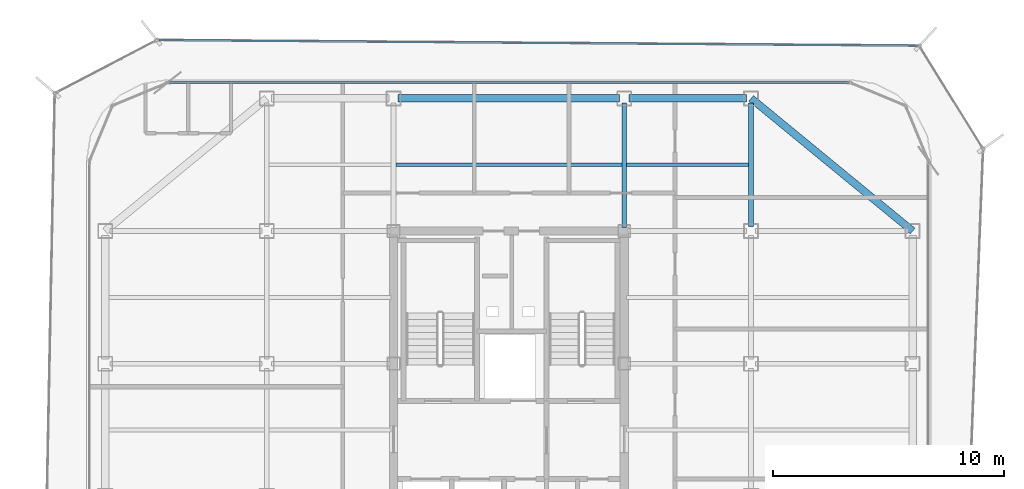
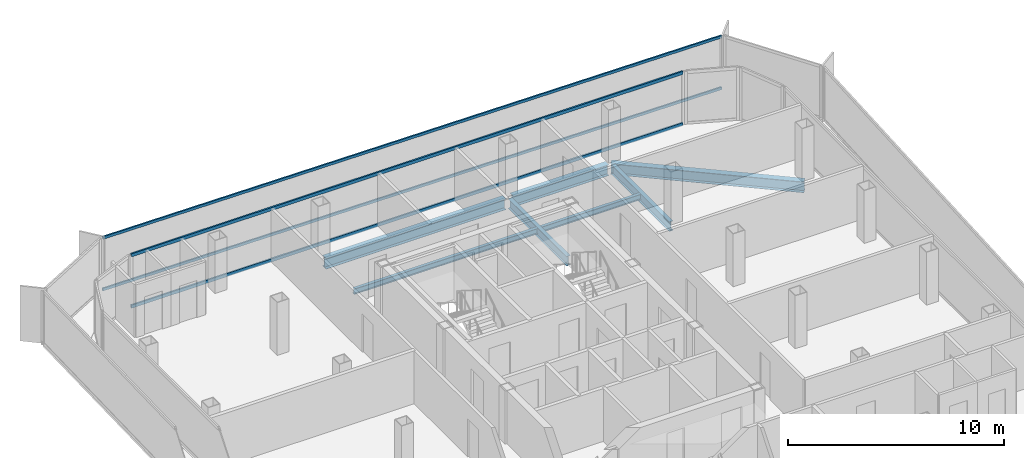
# One storey, part 7 of 15: 7 beams, 4 members, 2 elements without a shape of their own.
"""IFC4 building model written with IfcOpenShell, lengths in metres."""

import ifcopenshell
import ifcopenshell.guid

model = None  # the IFC model being written
_history = None  # IfcOwnerHistory: only IFC2X3 demands one
_inside = {}  # id of a spatial element -> (the spatial element, [elements in it])
_under = {}  # id of a project, library or spatial element -> (it, [spatial elements below it])
_declared = {}  # id of a project -> (the project, [libraries it declares])
_typed = {}  # id of a type object -> (the type object, [elements of that type])
_made_of = {}  # id of a material, layer set ... -> (it, [elements and type objects made of it])


def new_model(schema):
    """Start an empty IFC model of exactly this schema.

    Asked for "IFC4X3", IfcOpenShell would pick the latest addendum, in which some entities
    have other attributes; the version numbers below select the first issue.
    IFC2X3 requires an IfcOwnerHistory on every rooted entity: one is made here for all.
    """
    global model, _history
    if schema == "IFC4X3":
        model = ifcopenshell.file(schema_version=(4, 3, 0, 0))
    else:
        model = ifcopenshell.file(schema=schema)
    _inside.clear()
    _under.clear()
    _declared.clear()
    _typed.clear()
    _made_of.clear()
    _history = None
    if model.schema == "IFC2X3":
        org = make("IfcOrganization", Name="unknown")
        user = make(
            "IfcPersonAndOrganization",
            ThePerson=make("IfcPerson", FamilyName="unknown"),
            TheOrganization=org,
        )
        app = make(
            "IfcApplication",
            ApplicationDeveloper=org,
            Version="unknown",
            ApplicationFullName="unknown",
            ApplicationIdentifier="unknown",
        )
        _history = make(
            "IfcOwnerHistory",
            OwningUser=user,
            OwningApplication=app,
            ChangeAction="ADDED",
            CreationDate=0,
        )
    return model


def make(cls, **values):
    """One entity of the class cls with the attributes given. An attribute that is None is left unset."""
    return model.create_entity(
        cls, **{name: value for name, value in values.items() if value is not None}
    )


def rooted(cls, **values):
    """An entity with a GlobalId (a new one), such as an element, a storey or a relation."""
    return make(cls, GlobalId=ifcopenshell.guid.new(), OwnerHistory=_history, **values)


def si_unit(unit_type, name, prefix=None):
    """IfcSIUnit, for example si_unit("LENGTHUNIT", "METRE", prefix="MILLI")."""
    return make("IfcSIUnit", UnitType=unit_type, Prefix=prefix, Name=name)


def assignment(units):
    """IfcUnitAssignment: the units of a project."""
    return None if units is None else make("IfcUnitAssignment", Units=units)


def point(xyz):
    """IfcCartesianPoint."""
    return None if xyz is None else make("IfcCartesianPoint", Coordinates=xyz)


def direction(xyz):
    """IfcDirection."""
    return None if xyz is None else make("IfcDirection", DirectionRatios=xyz)


def frame(location, z_axis=None, x_axis=None):
    """IfcAxis2Placement3D, a coordinate frame: its origin and axes. An axis left out is left unset."""
    return make(
        "IfcAxis2Placement3D",
        Location=point(location),
        Axis=direction(z_axis),
        RefDirection=direction(x_axis),
    )


def frame_2d(location, x_axis=None):
    """IfcAxis2Placement2D, a coordinate frame in the plane: its origin and x axis."""
    return make(
        "IfcAxis2Placement2D", Location=point(location), RefDirection=direction(x_axis)
    )


def origin():
    """The frame at (0, 0, 0) with its axes left unset."""
    return frame((0.0, 0.0, 0.0))


def origin_2d():
    """The frame at (0, 0) in the plane with its x axis left unset."""
    return frame_2d((0.0, 0.0))


def place(relative_to, where):
    """IfcLocalPlacement: puts the frame where relative to a parent placement (None: the world)."""
    return make(
        "IfcLocalPlacement", PlacementRelTo=relative_to, RelativePlacement=where
    )


def context(
    kind, dimensions, precision=None, world=None, true_north=None, identifier=None
):
    """IfcGeometricRepresentationContext, for example the 3D "Model" context."""
    return make(
        "IfcGeometricRepresentationContext",
        ContextIdentifier=identifier,
        ContextType=kind,
        CoordinateSpaceDimension=dimensions,
        Precision=precision,
        WorldCoordinateSystem=world,
        TrueNorth=true_north,
    )


def subcontext(parent, identifier, kind, view, scale=None):
    """IfcGeometricRepresentationSubContext, for example "Body" below "Model"."""
    return make(
        "IfcGeometricRepresentationSubContext",
        ContextIdentifier=identifier,
        ContextType=kind,
        ParentContext=parent,
        TargetScale=scale,
        TargetView=view,
    )


def project(units=None, contexts=None):
    """IfcProject with its units and contexts."""
    return rooted(
        "IfcProject",
        Name="project",
        RepresentationContexts=contexts,
        UnitsInContext=assignment(units),
    )


def spatial(cls, under=None, at=None, **own):
    """A site, building, storey or space (cls), placed at a placement, below another one or the project."""
    s = rooted(cls, ObjectPlacement=at, **own)
    if under is not None:
        _under.setdefault(under.id(), (under, []))[1].append(s)
    return s


def profile(cls, at=None, kind="AREA", **sizes):
    """A parametric profile (cls). Its sizes go by their IFC names, for example OverallWidth=200.0."""
    return make(cls, ProfileType=kind, Position=at, **sizes)


def hollow_rectangle(**sizes):
    """IfcRectangleHollowProfileDef."""
    return profile("IfcRectangleHollowProfileDef", **sizes)


def i_section(**sizes):
    """IfcIShapeProfileDef."""
    return profile("IfcIShapeProfileDef", **sizes)


def extrude(swept, where, along, depth):
    """IfcExtrudedAreaSolid: the profile swept, set in the frame where, extruded along a direction by depth."""
    return make(
        "IfcExtrudedAreaSolid",
        SweptArea=swept,
        Position=where,
        ExtrudedDirection=direction(along),
        Depth=depth,
    )


def shape(context_of_items, identifier, shape_type, items):
    """IfcShapeRepresentation: the items that make up one representation, for example the "Body"."""
    return make(
        "IfcShapeRepresentation",
        ContextOfItems=context_of_items,
        RepresentationIdentifier=identifier,
        RepresentationType=shape_type,
        Items=items,
    )


def source(mapping_origin, context_of_items, identifier, shape_type, items):
    """IfcRepresentationMap: a shape defined once, which mapped items show again and again."""
    return make(
        "IfcRepresentationMap",
        MappingOrigin=mapping_origin,
        MappedRepresentation=shape(context_of_items, identifier, shape_type, items),
    )


def transform(
    local_origin,
    x_axis=None,
    y_axis=None,
    z_axis=None,
    scale=None,
    scale2=None,
    scale3=None,
    uniform=True,
):
    """IfcCartesianTransformationOperator3D, or its non-uniform kind. x_axis, y_axis, z_axis: its Axis1, 2, 3."""
    if uniform:
        return make(
            "IfcCartesianTransformationOperator3D",
            Axis1=direction(x_axis),
            Axis2=direction(y_axis),
            LocalOrigin=point(local_origin),
            Scale=scale,
            Axis3=direction(z_axis),
        )
    return make(
        "IfcCartesianTransformationOperator3DnonUniform",
        Axis1=direction(x_axis),
        Axis2=direction(y_axis),
        LocalOrigin=point(local_origin),
        Scale=scale,
        Axis3=direction(z_axis),
        Scale2=scale2,
        Scale3=scale3,
    )


def mapped(mapping_source, mapping_target):
    """IfcMappedItem: shows the shape of a source again, moved by a transform."""
    return make(
        "IfcMappedItem", MappingSource=mapping_source, MappingTarget=mapping_target
    )


def material(Name=None, Category=None):
    """IfcMaterial."""
    return make("IfcMaterial", Name=Name, Category=Category)


def layer(
    of_material, thickness, ventilated=None, Name=None, Category=None, Priority=None
):
    """IfcMaterialLayer: one layer of a wall or slab, of a material (None: an air gap)."""
    return make(
        "IfcMaterialLayer",
        Material=of_material,
        LayerThickness=thickness,
        IsVentilated=ventilated,
        Name=Name,
        Category=Category,
        Priority=Priority,
    )


def layer_set(layers, Name=None):
    """IfcMaterialLayerSet."""
    return make("IfcMaterialLayerSet", MaterialLayers=layers, LayerSetName=Name)


def material_profile(
    of_material, cross_section, Name=None, Category=None, Priority=None
):
    """IfcMaterialProfile: a cross section and its material."""
    return make(
        "IfcMaterialProfile",
        Name=Name,
        Material=of_material,
        Profile=cross_section,
        Priority=Priority,
        Category=Category,
    )


def profile_set(profiles, Name=None, composite=None):
    """IfcMaterialProfileSet."""
    return make(
        "IfcMaterialProfileSet",
        Name=Name,
        MaterialProfiles=profiles,
        CompositeProfile=composite,
    )


def made_of(thing, what):
    """Note that an element or type object is made of a material, layer set ...; save() writes the relation."""
    if what is not None:
        _made_of.setdefault(what.id(), (what, []))[1].append(thing)
    return thing


def type_object(cls, material=None, **own):
    """A type object (cls), such as IfcWallType, which elements share."""
    return made_of(rooted(cls, **own), material)


def element(
    cls,
    number,
    at=None,
    inside=None,
    cuts=None,
    type_object=None,
    material=None,
    context=None,
    identifier="Body",
    shape_type=None,
    held_by="IfcProductDefinitionShape",
    body=None,
    shapes=None,
    **own,
):
    """One element of the class cls, such as IfcWall. Its Tag is "e" and its number.

    at: its placement. inside: the storey or other place that contains it. cuts: it is an
    opening in that element (IfcRelVoidsElement). A single representation is given by context,
    identifier, shape_type and body (its items); several are given by shapes. held_by: the class
    of the entity that holds the representations. save() writes the other relations.
    """
    e = rooted(cls, Tag="e%d" % number, ObjectPlacement=at, **own)
    if body is not None:
        shapes = [shape(context, identifier, shape_type, body)]
    if shapes is not None:
        e.Representation = make(held_by, Representations=shapes)
    if inside is not None:
        _inside.setdefault(inside.id(), (inside, []))[1].append(e)
    if cuts is not None:
        rooted(
            "IfcRelVoidsElement", RelatingBuildingElement=cuts, RelatedOpeningElement=e
        )
    if type_object is not None:
        _typed.setdefault(type_object.id(), (type_object, []))[1].append(e)
    return made_of(e, material)


def aggregate(whole, parts):
    """IfcRelAggregates: a whole, such as a stair, and the parts it consists of."""
    return rooted("IfcRelAggregates", RelatingObject=whole, RelatedObjects=parts)


def save(model, path):
    """Write the relations noted so far, then the file.

    IfcRelAggregates (storeys below a building ...), IfcRelContainedInSpatialStructure (elements
    in a storey), IfcRelDefinesByType, IfcRelAssociatesMaterial and IfcRelDeclares: one each for
    every whole, place, type object, material and project.
    """
    for whole, parts in _under.values():
        aggregate(whole, parts)
    for where, things in _inside.values():
        rooted(
            "IfcRelContainedInSpatialStructure",
            RelatedElements=things,
            RelatingStructure=where,
        )
    for kind, things in _typed.values():
        rooted("IfcRelDefinesByType", RelatedObjects=things, RelatingType=kind)
    for what, things in _made_of.values():
        rooted("IfcRelAssociatesMaterial", RelatedObjects=things, RelatingMaterial=what)
    for by, libraries in _declared.values():
        rooted("IfcRelDeclares", RelatingContext=by, RelatedDefinitions=libraries)
    model.write(path)


model = new_model("IFC4")

# Units and contexts
model_context = context("Model", 3, precision=1e-05, world=origin(), true_north=direction((0.0, 1.0)))
body_context = subcontext(model_context, "Body", "Model", "MODEL_VIEW")
ifc_project = project(units=[si_unit("LENGTHUNIT", "METRE"), si_unit("AREAUNIT", "SQUARE_METRE"), si_unit("VOLUMEUNIT", "CUBIC_METRE"), si_unit("PLANEANGLEUNIT", "RADIAN"), si_unit("MASSUNIT", "GRAM", prefix="KILO")], contexts=[model_context])

# Site, building, storey
site_placement = place(None, origin())
site = spatial("IfcSite", under=ifc_project, at=site_placement, CompositionType="ELEMENT")
building_placement = place(site_placement, origin())
building = spatial("IfcBuilding", under=site, at=building_placement, Name="Kolveth Station Tower", CompositionType="ELEMENT")
storey_placement = place(building_placement, frame((0.0, 0.0, 223.300048828125)))
storey = spatial("IfcBuildingStorey", under=building, at=storey_placement, Name="L63", CompositionType="ELEMENT", Elevation=223.300048828125)

# Beams
ifc_material_1 = material(Name="Steel S355", Category="steel")
ifc_material_profile_1 = material_profile(ifc_material_1, i_section(OverallWidth=0.323974609375, OverallDepth=0.611083984375, WebThickness=0.0126953125, FlangeThickness=0.01904296875, at=origin_2d()), Name="W610x155")
ifc_profile_set_1 = profile_set([ifc_material_profile_1], Name="Steel S355")
beam_type_1 = type_object("IfcBeamType", Name="Beam_SP2", PredefinedType="SPANDREL", material=ifc_profile_set_1)
shared_shape_1 = source(origin(), body_context, "Body", "SweptSolid", [
    extrude(i_section(OverallWidth=0.323974609375, OverallDepth=0.611083984375, WebThickness=0.0126953125, FlangeThickness=0.01904296875, at=origin_2d()), origin(), (0.0, 0.0, 1.0), 9.058837890625),
])
beam_1_placement = place(storey_placement, frame((41.0, 28.75, -0.525634765625), z_axis=(-0.772726254525, 0.63473942336, 0.0), x_axis=(-0.63473942336, -0.772726254525, 0.0)))
element("IfcBeam", 1, at=beam_1_placement, inside=storey, type_object=beam_type_1, Name="L63 Corner Edge Girder BM-L63-CNR-NE", PredefinedType="SPANDREL", context=body_context, shape_type="MappedRepresentation", body=[
    mapped(shared_shape_1, transform((0.0, 0.0, 0.0), x_axis=(1.0, 0.0, 0.0), y_axis=(0.0, 1.0, 0.0), z_axis=(0.0, 0.0, 1.0), scale=1.0)),
])
shared_shape_2 = source(origin(), body_context, "Body", "SweptSolid", [
    extrude(i_section(OverallWidth=0.323974609375, OverallDepth=0.611083984375, WebThickness=0.0126953125, FlangeThickness=0.01904296875, at=origin_2d()), origin(), (0.0, 0.0, 1.0), 5.10009765625),
])
beam_2_placement = place(storey_placement, frame((28.699951171875, 34.5, -0.525634765625), z_axis=(1.0, 0.0, 0.0), x_axis=(0.0, 1.0, 0.0)))
element("IfcBeam", 2, at=beam_2_placement, inside=storey, type_object=beam_type_1, Name="L63 Perimeter Spandrel BM-L63-PN-3", PredefinedType="SPANDREL", context=body_context, shape_type="MappedRepresentation", body=[
    mapped(shared_shape_2, transform((0.0, 0.0, 0.0), x_axis=(1.0, 0.0, 0.0), y_axis=(0.0, 1.0, 0.0), z_axis=(0.0, 0.0, 1.0), scale=1.0)),
])
shared_shape_3 = source(origin(), body_context, "Body", "SweptSolid", [
    extrude(i_section(OverallWidth=0.323974609375, OverallDepth=0.611083984375, WebThickness=0.0126953125, FlangeThickness=0.01904296875, at=origin_2d()), origin(), (0.0, 0.0, 1.0), 9.60009765625),
])
beam_3_placement = place(storey_placement, frame((18.699951171875, 34.5, -0.525634765625), z_axis=(1.0, 0.0, 0.0), x_axis=(0.0, 1.0, 0.0)))
element("IfcBeam", 3, at=beam_3_placement, inside=storey, type_object=beam_type_1, Name="L63 Perimeter Spandrel BM-L63-PN-2", PredefinedType="SPANDREL", context=body_context, shape_type="MappedRepresentation", body=[
    mapped(shared_shape_3, transform((0.0, 0.0, 0.0), x_axis=(1.0, 0.0, 0.0), y_axis=(0.0, 1.0, 0.0), z_axis=(0.0, 0.0, 1.0), scale=1.0)),
])
ifc_material_profile_2 = material_profile(ifc_material_1, i_section(OverallWidth=0.2099609375, OverallDepth=0.537109375, WebThickness=0.010986328125, FlangeThickness=0.017333984375, at=origin_2d()), Name="W530x101")
ifc_profile_set_2 = profile_set([ifc_material_profile_2], Name="Steel S355")
beam_type_2 = type_object("IfcBeamType", Name="Beam_B6", PredefinedType="BEAM", material=ifc_profile_set_2)
shared_shape_4 = source(origin(), body_context, "Body", "SweptSolid", [
    extrude(i_section(OverallWidth=0.2099609375, OverallDepth=0.537109375, WebThickness=0.010986328125, FlangeThickness=0.017333984375, at=origin_2d()), origin(), (0.0, 0.0, 1.0), 5.35009765625),
])
beam_4_placement = place(storey_placement, frame((34.0, 28.949951171875, -0.488525390625), z_axis=(0.0, 1.0, 0.0), x_axis=(-1.0, 0.0, 0.0)))
element("IfcBeam", 4, at=beam_4_placement, inside=storey, type_object=beam_type_2, Name="L63 Primary Girder BM-L63-GX340-6", PredefinedType="BEAM", context=body_context, shape_type="MappedRepresentation", body=[
    mapped(shared_shape_4, transform((0.0, 0.0, 0.0), x_axis=(1.0, 0.0, 0.0), y_axis=(0.0, 1.0, 0.0), z_axis=(0.0, 0.0, 1.0), scale=1.0)),
])
shared_shape_5 = source(origin(), body_context, "Body", "SweptSolid", [
    extrude(i_section(OverallWidth=0.2099609375, OverallDepth=0.537109375, WebThickness=0.010986328125, FlangeThickness=0.017333984375, at=origin_2d()), origin(), (0.0, 0.0, 1.0), 5.39013671875),
])
beam_5_placement = place(storey_placement, frame((28.5, 28.909912109375, -0.488525390625), z_axis=(0.0, 1.0, 0.0), x_axis=(-1.0, 0.0, 0.0)))
element("IfcBeam", 5, at=beam_5_placement, inside=storey, type_object=beam_type_2, Name="L63 Primary Girder BM-L63-GX285-6", PredefinedType="BEAM", context=body_context, shape_type="MappedRepresentation", body=[
    mapped(shared_shape_5, transform((0.0, 0.0, 0.0), x_axis=(1.0, 0.0, 0.0), y_axis=(0.0, 1.0, 0.0), z_axis=(0.0, 0.0, 1.0), scale=1.0)),
])
ifc_material_profile_3 = material_profile(ifc_material_1, i_section(OverallWidth=0.1650390625, OverallDepth=0.31005859375, WebThickness=0.005859375, FlangeThickness=0.009765625, at=origin_2d()), Name="W310x39")
ifc_profile_set_3 = profile_set([ifc_material_profile_3], Name="Steel S355")
beam_type_3 = type_object("IfcBeamType", Name="Beam_J3", PredefinedType="JOIST", material=ifc_profile_set_3)
shared_shape_6 = source(origin(), body_context, "Body", "SweptSolid", [
    extrude(i_section(OverallWidth=0.1650390625, OverallDepth=0.31005859375, WebThickness=0.005859375, FlangeThickness=0.009765625, at=origin_2d()), origin(), (0.0, 0.0, 1.0), 5.2939453125),
])
beam_6_placement = place(storey_placement, frame((28.60302734375, 31.625, -0.375), z_axis=(1.0, 0.0, 0.0), x_axis=(0.0, 1.0, 0.0)))
element("IfcBeam", 6, at=beam_6_placement, inside=storey, type_object=beam_type_3, Name="L63 Secondary Joist JST-L63-4-6", PredefinedType="JOIST", context=body_context, shape_type="MappedRepresentation", body=[
    mapped(shared_shape_6, transform((0.0, 0.0, 0.0), x_axis=(1.0, 0.0, 0.0), y_axis=(0.0, 1.0, 0.0), z_axis=(0.0, 0.0, 1.0), scale=1.0)),
])
shared_shape_7 = source(origin(), body_context, "Body", "SweptSolid", [
    extrude(i_section(OverallWidth=0.1650390625, OverallDepth=0.31005859375, WebThickness=0.005859375, FlangeThickness=0.009765625, at=origin_2d()), origin(), (0.0, 0.0, 1.0), 9.7939453125),
])
beam_7_placement = place(storey_placement, frame((18.60302734375, 31.625, -0.375), z_axis=(1.0, 0.0, 0.0), x_axis=(0.0, 1.0, 0.0)))
element("IfcBeam", 7, at=beam_7_placement, inside=storey, type_object=beam_type_3, Name="L63 Secondary Joist JST-L63-3-6", PredefinedType="JOIST", context=body_context, shape_type="MappedRepresentation", body=[
    mapped(shared_shape_7, transform((0.0, 0.0, 0.0), x_axis=(1.0, 0.0, 0.0), y_axis=(0.0, 1.0, 0.0), z_axis=(0.0, 0.0, 1.0), scale=1.0)),
])

# Curtain wall, members
ifc_material_2 = material(Name="Aluminium 6063-T6 and triple low-E dark glass", Category="aluminium")
ifc_layer_1 = layer(ifc_material_2, 0.199951171875)
ifc_layer_set_1 = layer_set([ifc_layer_1], Name="Aluminium 6063-T6 and triple low-E dark glass")
curtain_wall_type_1 = type_object("IfcCurtainWallType", Name="CurtainWall_CW-Z3", PredefinedType="NOTDEFINED", material=ifc_layer_set_1)
curtain_wall_1_placement = place(storey_placement, origin())
curtain_wall_1 = element("IfcCurtainWall", 8, at=curtain_wall_1_placement, inside=storey, type_object=curtain_wall_type_1, Name="L63 Inner Thermal Curtain Wall 6", PredefinedType="NOTDEFINED")
ifc_material_3 = material(Name="Black anodized aluminium 6063-T6", Category="aluminium")
ifc_material_profile_4 = material_profile(ifc_material_3, hollow_rectangle(XDim=0.0849609375, YDim=0.179931640625, WallThickness=0.0048828125, at=origin_2d()), Name="ALU-85x180x5")
ifc_profile_set_4 = profile_set([ifc_material_profile_4], Name="Black anodized aluminium 6063-T6")
member_type_1 = type_object("IfcMemberType", Name="Transom_TR3", PredefinedType="USERDEFINED", material=ifc_profile_set_4)
shared_shape_8 = source(origin(), body_context, "Body", "SweptSolid", [
    extrude(hollow_rectangle(XDim=0.0849609375, YDim=0.179931640625, WallThickness=0.0048828125, at=origin_2d()), origin(), (0.0, 0.0, 1.0), 29.43017578125),
])
member_1_placement = place(storey_placement, frame((38.215087890625, 35.179931640625, 0.04248046875), z_axis=(-1.0, 0.0, 0.0), x_axis=(0.0, -1.0, 0.0)))
member_1 = element("IfcMember", 9, at=member_1_placement, type_object=member_type_1, Name="CW-Z3 transom 1.1", ObjectType="TRANSOM", PredefinedType="USERDEFINED", context=body_context, shape_type="MappedRepresentation", body=[
    mapped(shared_shape_8, transform((0.0, 0.0, 0.0), x_axis=(1.0, 0.0, 0.0), y_axis=(0.0, 1.0, 0.0), z_axis=(0.0, 0.0, 1.0), scale=1.0)),
])
member_2_placement = place(storey_placement, frame((38.215087890625, 35.179931640625, 2.9375), z_axis=(-1.0, 0.0, 0.0), x_axis=(0.0, -1.0, 0.0)))
member_2 = element("IfcMember", 10, at=member_2_placement, type_object=member_type_1, Name="CW-Z3 transom 1.2", ObjectType="TRANSOM", PredefinedType="USERDEFINED", context=body_context, shape_type="MappedRepresentation", body=[
    mapped(shared_shape_8, transform((0.0, 0.0, 0.0), x_axis=(1.0, 0.0, 0.0), y_axis=(0.0, 1.0, 0.0), z_axis=(0.0, 0.0, 1.0), scale=1.0)),
])
aggregate(curtain_wall_1, [member_1, member_2])

ifc_material_4 = material(Name="Black anodized aluminium 6063-T6 and dark solar glass", Category="aluminium")
ifc_layer_2 = layer(ifc_material_4, 0.159912109375)
ifc_layer_set_2 = layer_set([ifc_layer_2], Name="Black anodized aluminium 6063-T6 and dark solar glass")
curtain_wall_type_2 = type_object("IfcCurtainWallType", Name="OUTER SKIN CW-OS", PredefinedType="NOTDEFINED", material=ifc_layer_set_2)
curtain_wall_2_placement = place(storey_placement, origin())
curtain_wall_2 = element("IfcCurtainWall", 11, at=curtain_wall_2_placement, inside=storey, type_object=curtain_wall_type_2, Name="L63 Outer Ventilated Skin Curtain Wall 4", PredefinedType="NOTDEFINED")
ifc_material_profile_5 = material_profile(ifc_material_3, hollow_rectangle(XDim=0.080078125, YDim=0.14990234375, WallThickness=0.0048828125, at=origin_2d()), Name="ALU-80x150x5")
ifc_profile_set_5 = profile_set([ifc_material_profile_5], Name="Black anodized aluminium 6063-T6")
member_type_2 = type_object("IfcMemberType", Name="Transom_TR-OS", PredefinedType="USERDEFINED", material=ifc_profile_set_5)
shared_shape_9 = source(origin(), body_context, "Body", "SweptSolid", [
    extrude(hollow_rectangle(XDim=0.080078125, YDim=0.14990234375, WallThickness=0.0048828125, at=origin_2d()), origin(), (0.0, 0.0, 1.0), 32.872802734375),
])
member_3_placement = place(storey_placement, frame((41.20263671875, 36.782958984375, 0.0400390625), z_axis=(-0.999972750567, 0.007382284367, 0.0), x_axis=(-0.007382284367, -0.999972750567, 0.0)))
member_3 = element("IfcMember", 12, at=member_3_placement, type_object=member_type_2, Name="CW-OS transom 1.1", ObjectType="TRANSOM", PredefinedType="USERDEFINED", context=body_context, shape_type="MappedRepresentation", body=[
    mapped(shared_shape_9, transform((0.0, 0.0, 0.0), x_axis=(1.0, 0.0, 0.0), y_axis=(0.0, 1.0, 0.0), z_axis=(0.0, 0.0, 1.0), scale=1.0)),
])
member_4_placement = place(storey_placement, frame((41.20263671875, 36.782958984375, 2.949951171875), z_axis=(-0.999972750567, 0.007382284367, 0.0), x_axis=(-0.007382284367, -0.999972750567, 0.0)))
member_4 = element("IfcMember", 13, at=member_4_placement, type_object=member_type_2, Name="CW-OS transom 1.2", ObjectType="TRANSOM", PredefinedType="USERDEFINED", context=body_context, shape_type="MappedRepresentation", body=[
    mapped(shared_shape_9, transform((0.0, 0.0, 0.0), x_axis=(1.0, 0.0, 0.0), y_axis=(0.0, 1.0, 0.0), z_axis=(0.0, 0.0, 1.0), scale=1.0)),
])
aggregate(curtain_wall_2, [member_3, member_4])

save(model, "model.ifc")
